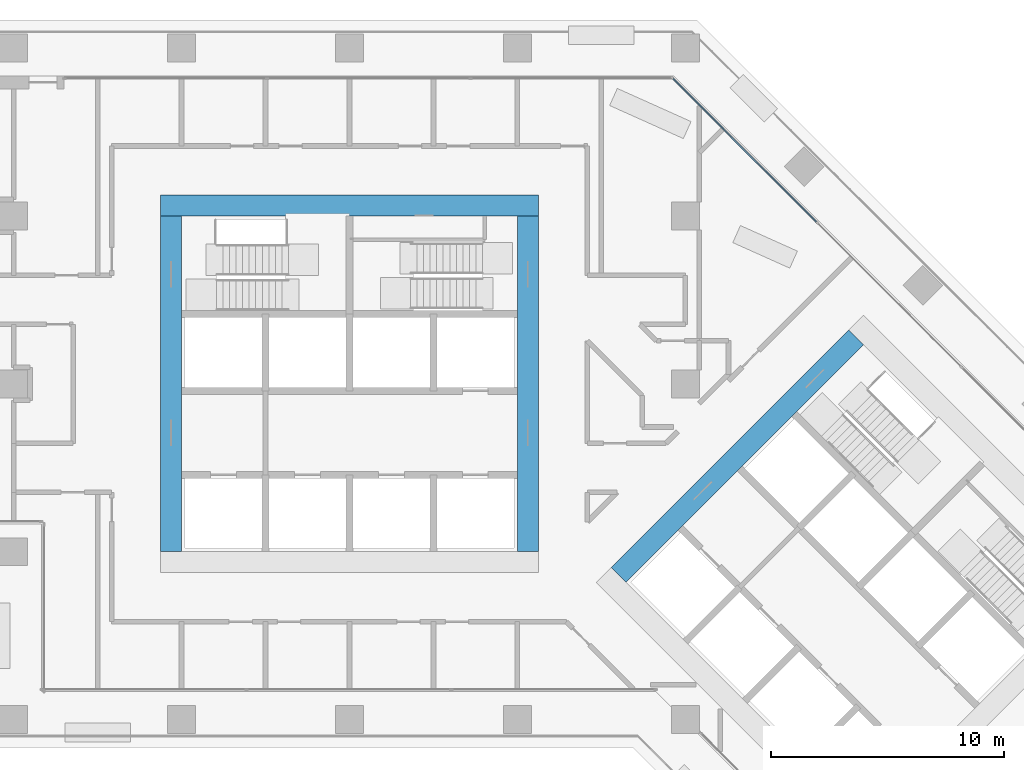
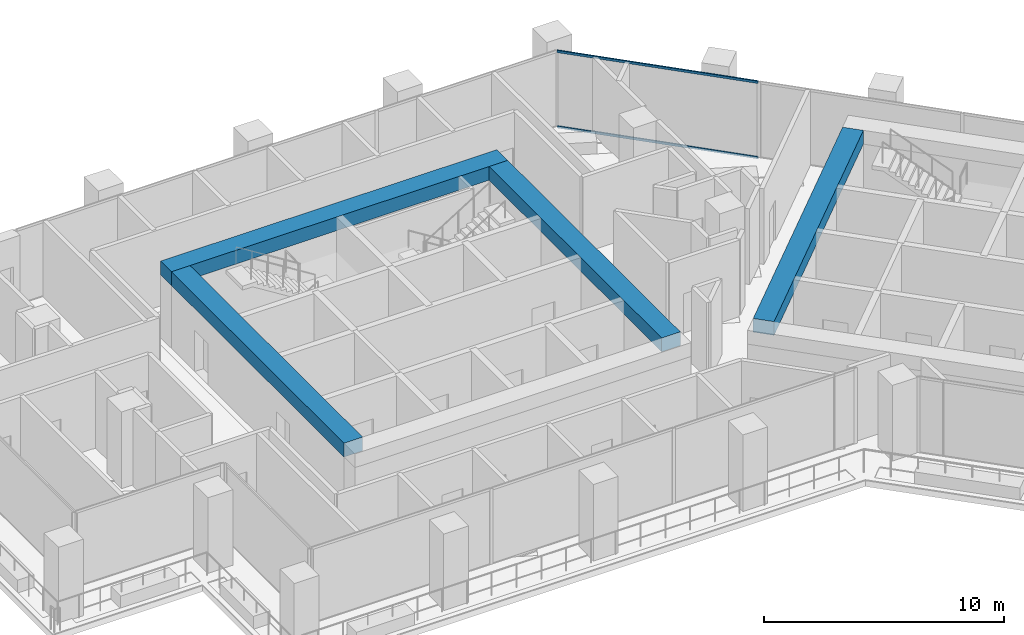
# One storey, part 6 of 24: 4 beams, 2 members, 1 element without a shape of its own.
"""IFC4 building model written with IfcOpenShell, lengths in metres."""

import ifcopenshell
import ifcopenshell.guid

model = None  # the IFC model being written
_history = None  # IfcOwnerHistory: only IFC2X3 demands one
_inside = {}  # id of a spatial element -> (the spatial element, [elements in it])
_under = {}  # id of a project, library or spatial element -> (it, [spatial elements below it])
_declared = {}  # id of a project -> (the project, [libraries it declares])
_typed = {}  # id of a type object -> (the type object, [elements of that type])
_made_of = {}  # id of a material, layer set ... -> (it, [elements and type objects made of it])


def new_model(schema):
    """Start an empty IFC model of exactly this schema.

    Asked for "IFC4X3", IfcOpenShell would pick the latest addendum, in which some entities
    have other attributes; the version numbers below select the first issue.
    IFC2X3 requires an IfcOwnerHistory on every rooted entity: one is made here for all.
    """
    global model, _history
    if schema == "IFC4X3":
        model = ifcopenshell.file(schema_version=(4, 3, 0, 0))
    else:
        model = ifcopenshell.file(schema=schema)
    _inside.clear()
    _under.clear()
    _declared.clear()
    _typed.clear()
    _made_of.clear()
    _history = None
    if model.schema == "IFC2X3":
        org = make("IfcOrganization", Name="unknown")
        user = make(
            "IfcPersonAndOrganization",
            ThePerson=make("IfcPerson", FamilyName="unknown"),
            TheOrganization=org,
        )
        app = make(
            "IfcApplication",
            ApplicationDeveloper=org,
            Version="unknown",
            ApplicationFullName="unknown",
            ApplicationIdentifier="unknown",
        )
        _history = make(
            "IfcOwnerHistory",
            OwningUser=user,
            OwningApplication=app,
            ChangeAction="ADDED",
            CreationDate=0,
        )
    return model


def make(cls, **values):
    """One entity of the class cls with the attributes given. An attribute that is None is left unset."""
    return model.create_entity(
        cls, **{name: value for name, value in values.items() if value is not None}
    )


def rooted(cls, **values):
    """An entity with a GlobalId (a new one), such as an element, a storey or a relation."""
    return make(cls, GlobalId=ifcopenshell.guid.new(), OwnerHistory=_history, **values)


def si_unit(unit_type, name, prefix=None):
    """IfcSIUnit, for example si_unit("LENGTHUNIT", "METRE", prefix="MILLI")."""
    return make("IfcSIUnit", UnitType=unit_type, Prefix=prefix, Name=name)


def assignment(units):
    """IfcUnitAssignment: the units of a project."""
    return None if units is None else make("IfcUnitAssignment", Units=units)


def point(xyz):
    """IfcCartesianPoint."""
    return None if xyz is None else make("IfcCartesianPoint", Coordinates=xyz)


def direction(xyz):
    """IfcDirection."""
    return None if xyz is None else make("IfcDirection", DirectionRatios=xyz)


def frame(location, z_axis=None, x_axis=None):
    """IfcAxis2Placement3D, a coordinate frame: its origin and axes. An axis left out is left unset."""
    return make(
        "IfcAxis2Placement3D",
        Location=point(location),
        Axis=direction(z_axis),
        RefDirection=direction(x_axis),
    )


def frame_2d(location, x_axis=None):
    """IfcAxis2Placement2D, a coordinate frame in the plane: its origin and x axis."""
    return make(
        "IfcAxis2Placement2D", Location=point(location), RefDirection=direction(x_axis)
    )


def origin():
    """The frame at (0, 0, 0) with its axes left unset."""
    return frame((0.0, 0.0, 0.0))


def origin_2d():
    """The frame at (0, 0) in the plane with its x axis left unset."""
    return frame_2d((0.0, 0.0))


def place(relative_to, where):
    """IfcLocalPlacement: puts the frame where relative to a parent placement (None: the world)."""
    return make(
        "IfcLocalPlacement", PlacementRelTo=relative_to, RelativePlacement=where
    )


def context(
    kind, dimensions, precision=None, world=None, true_north=None, identifier=None
):
    """IfcGeometricRepresentationContext, for example the 3D "Model" context."""
    return make(
        "IfcGeometricRepresentationContext",
        ContextIdentifier=identifier,
        ContextType=kind,
        CoordinateSpaceDimension=dimensions,
        Precision=precision,
        WorldCoordinateSystem=world,
        TrueNorth=true_north,
    )


def subcontext(parent, identifier, kind, view, scale=None):
    """IfcGeometricRepresentationSubContext, for example "Body" below "Model"."""
    return make(
        "IfcGeometricRepresentationSubContext",
        ContextIdentifier=identifier,
        ContextType=kind,
        ParentContext=parent,
        TargetScale=scale,
        TargetView=view,
    )


def project(units=None, contexts=None):
    """IfcProject with its units and contexts."""
    return rooted(
        "IfcProject",
        Name="project",
        RepresentationContexts=contexts,
        UnitsInContext=assignment(units),
    )


def spatial(cls, under=None, at=None, **own):
    """A site, building, storey or space (cls), placed at a placement, below another one or the project."""
    s = rooted(cls, ObjectPlacement=at, **own)
    if under is not None:
        _under.setdefault(under.id(), (under, []))[1].append(s)
    return s


def profile(cls, at=None, kind="AREA", **sizes):
    """A parametric profile (cls). Its sizes go by their IFC names, for example OverallWidth=200.0."""
    return make(cls, ProfileType=kind, Position=at, **sizes)


def rectangle(**sizes):
    """IfcRectangleProfileDef."""
    return profile("IfcRectangleProfileDef", **sizes)


def extrude(swept, where, along, depth):
    """IfcExtrudedAreaSolid: the profile swept, set in the frame where, extruded along a direction by depth."""
    return make(
        "IfcExtrudedAreaSolid",
        SweptArea=swept,
        Position=where,
        ExtrudedDirection=direction(along),
        Depth=depth,
    )


def shape(context_of_items, identifier, shape_type, items):
    """IfcShapeRepresentation: the items that make up one representation, for example the "Body"."""
    return make(
        "IfcShapeRepresentation",
        ContextOfItems=context_of_items,
        RepresentationIdentifier=identifier,
        RepresentationType=shape_type,
        Items=items,
    )


def material(Name=None, Category=None):
    """IfcMaterial."""
    return make("IfcMaterial", Name=Name, Category=Category)


def material_profile(
    of_material, cross_section, Name=None, Category=None, Priority=None
):
    """IfcMaterialProfile: a cross section and its material."""
    return make(
        "IfcMaterialProfile",
        Name=Name,
        Material=of_material,
        Profile=cross_section,
        Priority=Priority,
        Category=Category,
    )


def profile_set(profiles, Name=None, composite=None):
    """IfcMaterialProfileSet."""
    return make(
        "IfcMaterialProfileSet",
        Name=Name,
        MaterialProfiles=profiles,
        CompositeProfile=composite,
    )


def made_of(thing, what):
    """Note that an element or type object is made of a material, layer set ...; save() writes the relation."""
    if what is not None:
        _made_of.setdefault(what.id(), (what, []))[1].append(thing)
    return thing


def type_object(cls, material=None, **own):
    """A type object (cls), such as IfcWallType, which elements share."""
    return made_of(rooted(cls, **own), material)


def element(
    cls,
    number,
    at=None,
    inside=None,
    cuts=None,
    type_object=None,
    material=None,
    context=None,
    identifier="Body",
    shape_type=None,
    held_by="IfcProductDefinitionShape",
    body=None,
    shapes=None,
    **own,
):
    """One element of the class cls, such as IfcWall. Its Tag is "e" and its number.

    at: its placement. inside: the storey or other place that contains it. cuts: it is an
    opening in that element (IfcRelVoidsElement). A single representation is given by context,
    identifier, shape_type and body (its items); several are given by shapes. held_by: the class
    of the entity that holds the representations. save() writes the other relations.
    """
    e = rooted(cls, Tag="e%d" % number, ObjectPlacement=at, **own)
    if body is not None:
        shapes = [shape(context, identifier, shape_type, body)]
    if shapes is not None:
        e.Representation = make(held_by, Representations=shapes)
    if inside is not None:
        _inside.setdefault(inside.id(), (inside, []))[1].append(e)
    if cuts is not None:
        rooted(
            "IfcRelVoidsElement", RelatingBuildingElement=cuts, RelatedOpeningElement=e
        )
    if type_object is not None:
        _typed.setdefault(type_object.id(), (type_object, []))[1].append(e)
    return made_of(e, material)


def aggregate(whole, parts):
    """IfcRelAggregates: a whole, such as a stair, and the parts it consists of."""
    return rooted("IfcRelAggregates", RelatingObject=whole, RelatedObjects=parts)


def save(model, path):
    """Write the relations noted so far, then the file.

    IfcRelAggregates (storeys below a building ...), IfcRelContainedInSpatialStructure (elements
    in a storey), IfcRelDefinesByType, IfcRelAssociatesMaterial and IfcRelDeclares: one each for
    every whole, place, type object, material and project.
    """
    for whole, parts in _under.values():
        aggregate(whole, parts)
    for where, things in _inside.values():
        rooted(
            "IfcRelContainedInSpatialStructure",
            RelatedElements=things,
            RelatingStructure=where,
        )
    for kind, things in _typed.values():
        rooted("IfcRelDefinesByType", RelatedObjects=things, RelatingType=kind)
    for what, things in _made_of.values():
        rooted("IfcRelAssociatesMaterial", RelatedObjects=things, RelatingMaterial=what)
    for by, libraries in _declared.values():
        rooted("IfcRelDeclares", RelatingContext=by, RelatedDefinitions=libraries)
    model.write(path)


model = new_model("IFC4")

# Units and contexts
model_context = context("Model", 3, precision=1e-05, world=origin(), true_north=direction((0.0, 1.0)))
body_context = subcontext(model_context, "Body", "Model", "MODEL_VIEW")
ifc_project = project(units=[si_unit("LENGTHUNIT", "METRE"), si_unit("AREAUNIT", "SQUARE_METRE"), si_unit("VOLUMEUNIT", "CUBIC_METRE"), si_unit("PLANEANGLEUNIT", "RADIAN"), si_unit("MASSUNIT", "GRAM", prefix="KILO")], contexts=[model_context])

# Site, building, storey
site_placement = place(None, origin())
site = spatial("IfcSite", under=ifc_project, at=site_placement, CompositionType="ELEMENT")
building_placement = place(site_placement, origin())
building = spatial("IfcBuilding", under=site, at=building_placement, Name="Windrow Commons", CompositionType="ELEMENT")
storey_placement = place(building_placement, frame((0.0, 0.0, 77.0)))
storey = spatial("IfcBuildingStorey", under=building, at=storey_placement, Name="L20", CompositionType="ELEMENT", Elevation=77.0)

# Curtain wall, members
ifc_material_1 = material(Name="Clear laminated glass in Aluminium 6063-T6 anodised frame", Category="aluminium")
curtain_wall_type = type_object("IfcCurtainWallType", Name="Curtain wall CW2 sky lounge", PredefinedType="USERDEFINED", material=ifc_material_1)
curtain_wall_placement = place(storey_placement, origin())
curtain_wall = element("IfcCurtainWall", 1, at=curtain_wall_placement, inside=storey, type_object=curtain_wall_type, Name="Curtain wall CW2 L20 3", ObjectType="UNITISED", PredefinedType="USERDEFINED")
ifc_material_2 = material(Name="Aluminium 6063-T6", Category="aluminium")
ifc_material_profile_1 = material_profile(ifc_material_2, rectangle(XDim=0.06, YDim=0.12, at=origin_2d()))
ifc_profile_set_1 = profile_set([ifc_material_profile_1], Name="Aluminium 6063-T6")
member_type = type_object("IfcMemberType", Name="CW2 transom 60x120", PredefinedType="USERDEFINED", material=ifc_profile_set_1)
member_1_placement = place(storey_placement, frame((84.8198, 64.5417, 0.03), z_axis=(-0.7071067812, 0.7071067812, 0.0), x_axis=(-0.7071067812, -0.7071067812, 0.0)))
member_1 = element("IfcMember", 2, at=member_1_placement, type_object=member_type, Name="CW2 transom 5.1", ObjectType="TRANSOM", PredefinedType="USERDEFINED", context=body_context, shape_type="SweptSolid", body=[
    extrude(rectangle(XDim=0.06, YDim=0.12, at=origin_2d()), origin(), (0.0, 0.0, 1.0), 8.6906),
])
member_2_placement = place(storey_placement, frame((84.8198, 64.5417, 3.87), z_axis=(-0.7071067812, 0.7071067812, 0.0), x_axis=(-0.7071067812, -0.7071067812, 0.0)))
member_2 = element("IfcMember", 3, at=member_2_placement, type_object=member_type, Name="CW2 transom 5.2", ObjectType="TRANSOM", PredefinedType="USERDEFINED", context=body_context, shape_type="SweptSolid", body=[
    extrude(rectangle(XDim=0.06, YDim=0.12, at=origin_2d()), origin(), (0.0, 0.0, 1.0), 8.6906),
])
aggregate(curtain_wall, [member_1, member_2])

# Beams
ifc_material_3 = material(Name="Concrete C60/75", Category="concrete")
ifc_material_profile_2 = material_profile(ifc_material_3, rectangle(XDim=0.9, YDim=0.7, at=origin_2d()))
ifc_profile_set_2 = profile_set([ifc_material_profile_2], Name="Concrete C60/75")
beam_type = type_object("IfcBeamType", Name="RC COUPLING BEAM 900x700 C60/75", PredefinedType="LINTEL", material=ifc_profile_set_2)
beam_1_placement = place(storey_placement, frame((56.7, 65.25, 3.55), z_axis=(1.0, 0.0, 0.0), x_axis=(0.0, 1.0, 0.0)))
element("IfcBeam", 4, at=beam_1_placement, inside=storey, type_object=beam_type, Name="Core A coupling beam outer-N", PredefinedType="LINTEL", context=body_context, shape_type="SweptSolid", body=[
    extrude(rectangle(XDim=0.9, YDim=0.7, at=origin_2d()), origin(), (0.0, 0.0, 1.0), 16.2),
])
for number, where, z_axis, x_axis, name in (
    (5, (57.15, 50.4, 3.55), (0.0, 1.0, 0.0), (-1.0, 0.0, 0.0), "Core A coupling beam outer-W"),
    (6, (72.45, 50.4, 3.55), (0.0, 1.0, 0.0), (-1.0, 0.0, 0.0), "Core A coupling beam outer-E"),
):
    element("IfcBeam", number, at=place(storey_placement, frame(where, z_axis=z_axis, x_axis=x_axis)), inside=storey, type_object=beam_type, Name=name, PredefinedType="LINTEL", context=body_context, shape_type="SweptSolid", body=[
        extrude(rectangle(XDim=0.9, YDim=0.7, at=origin_2d()), origin(), (0.0, 0.0, 1.0), 14.4),
    ])
beam_2_placement = place(storey_placement, frame((76.3362, 49.4079, 3.55), z_axis=(0.7071067812, 0.7071067812, 0.0), x_axis=(-0.7071067812, 0.7071067812, 0.0)))
element("IfcBeam", 7, at=beam_2_placement, inside=storey, type_object=beam_type, Name="Core B coupling beam outer-W", PredefinedType="LINTEL", context=body_context, shape_type="SweptSolid", body=[
    extrude(rectangle(XDim=0.9, YDim=0.7, at=origin_2d()), origin(), (0.0, 0.0, 1.0), 14.4001),
])

save(model, "model.ifc")
